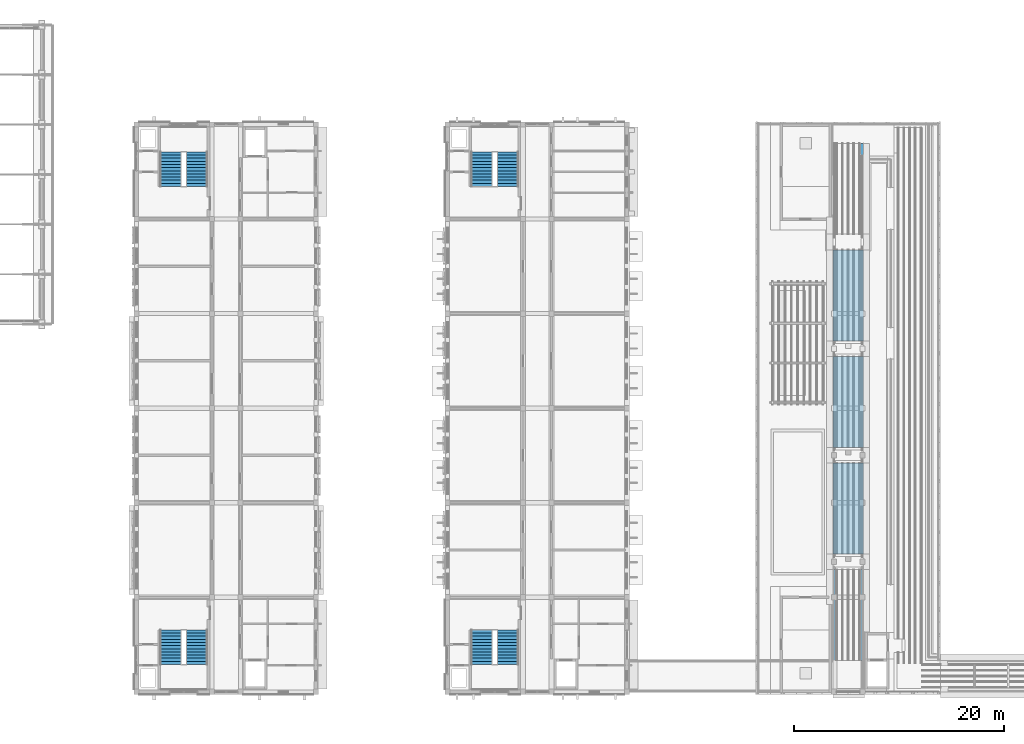
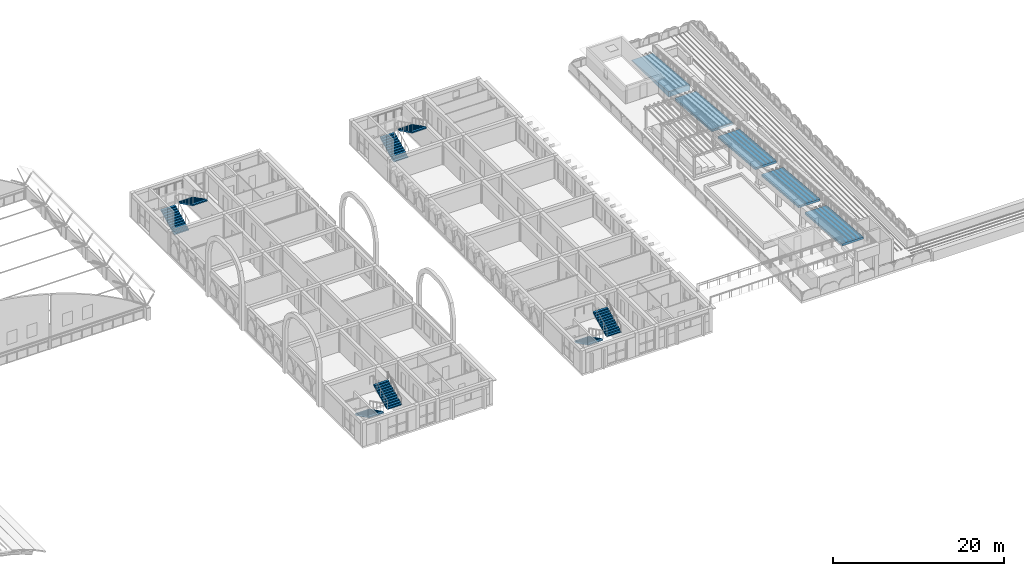
# One storey, part 45 of 65: 8 stair flights, 5 ramp flights, 5 elements without a shape of their own.
"""IFC4 building model written with IfcOpenShell, lengths in metres."""

from ifc_helpers import new_model, si_unit, direction, frame, origin, place, context, subcontext, project, spatial, polyline, outline, extrude, material, layer, layer_set, type_object, element, aggregate, save


model = new_model("IFC4")

# Units and contexts
model_context = context("Model", 3, precision=1e-05, world=origin(), true_north=direction((0.0, 1.0)))
body_context = subcontext(model_context, "Body", "Model", "MODEL_VIEW")
ifc_project = project(units=[si_unit("LENGTHUNIT", "METRE"), si_unit("AREAUNIT", "SQUARE_METRE"), si_unit("VOLUMEUNIT", "CUBIC_METRE"), si_unit("PLANEANGLEUNIT", "RADIAN"), si_unit("MASSUNIT", "GRAM", prefix="KILO")], contexts=[model_context])

# Site, building, storey
site_placement = place(None, origin())
site = spatial("IfcSite", under=ifc_project, at=site_placement, CompositionType="ELEMENT")
building_placement = place(site_placement, origin())
building = spatial("IfcBuilding", under=site, at=building_placement, Name="Elbe Cascade School", CompositionType="ELEMENT")
storey_placement = place(building_placement, frame((0.0, 0.0, 11.699951171875)))
storey = spatial("IfcBuildingStorey", under=building, at=storey_placement, Name="L03", CompositionType="ELEMENT", Elevation=11.699951171875)

# Stair, stair flights
ifc_material_1 = material(Name="Concrete C30/37", Category="concrete")
stair_type = type_object("IfcStairType", Name="Bar stair RC 150", PredefinedType="HALF_TURN_STAIR", material=ifc_material_1)
stair_1_placement = place(storey_placement, origin())
stair_1 = element("IfcStair", 1, at=stair_1_placement, inside=storey, type_object=stair_type, Name="Stair A3.S", PredefinedType="HALF_TURN_STAIR")
ifc_material_2 = material(Name="Concrete C30/37", Category="concrete")
stair_flight_type = type_object("IfcStairFlightType", Name="Bar stair flight RC", PredefinedType="STRAIGHT", material=ifc_material_2)
stair_flight_1_placement = place(storey_placement, frame((72.27490234375, 11.89990234375, 0.0), z_axis=(0.0, 0.0, 1.0), x_axis=(0.0, -1.0, 0.0)))
stair_flight_1 = element("IfcStairFlight", 2, at=stair_flight_1_placement, type_object=stair_flight_type, Name="ST3 flight 1", NumberOfRisers=12, NumberOfTreads=11, PredefinedType="STRAIGHT", RiserHeight=0.15, TreadLength=0.3, context=body_context, shape_type="SweptSolid", body=[
    extrude(outline(polyline([(0.0, 0.0), (0.0, 0.14990234375), (0.300048828125, 0.14990234375), (0.300048828125, 0.300048828125), (0.60009765625, 0.300048828125), (0.60009765625, 0.449951171875), (0.89990234375, 0.449951171875), (0.89990234375, 0.60009765625), (1.199951171875, 0.60009765625), (1.199951171875, 0.75), (1.5, 0.75), (1.5, 0.89990234375), (1.800048828125, 0.89990234375), (1.800048828125, 1.050048828125), (2.10009765625, 1.050048828125), (2.10009765625, 1.199951171875), (2.39990234375, 1.199951171875), (2.39990234375, 1.35009765625), (2.699951171875, 1.35009765625), (2.699951171875, 1.5), (3.0, 1.5), (3.0, 1.64990234375), (3.300048828125, 1.64990234375), (3.300048828125, 1.800048828125), (3.300048828125, 1.482421875), (0.335205078125, 0.0), (0.0, 0.0)])), frame((0.0, 0.97509765625, 0.0), z_axis=(0.0, -1.0, 0.0), x_axis=(1.0, 0.0, 0.0)), (0.0, 0.0, 1.0), 1.949951171875),
])
stair_flight_2_placement = place(storey_placement, frame((74.72509765625, 8.60009765625, 1.800048828125), z_axis=(0.0, 0.0, 1.0), x_axis=(0.0, 1.0, 0.0)))
stair_flight_2 = element("IfcStairFlight", 3, at=stair_flight_2_placement, type_object=stair_flight_type, Name="ST3 flight 2", NumberOfRisers=12, NumberOfTreads=11, PredefinedType="STRAIGHT", RiserHeight=0.15, TreadLength=0.3, context=body_context, shape_type="SweptSolid", body=[
    extrude(outline(polyline([(0.0, 0.0), (0.0, 0.14990234375), (0.300048828125, 0.14990234375), (0.300048828125, 0.300048828125), (0.60009765625, 0.300048828125), (0.60009765625, 0.449951171875), (0.89990234375, 0.449951171875), (0.89990234375, 0.60009765625), (1.199951171875, 0.60009765625), (1.199951171875, 0.75), (1.5, 0.75), (1.5, 0.89990234375), (1.800048828125, 0.89990234375), (1.800048828125, 1.050048828125), (2.10009765625, 1.050048828125), (2.10009765625, 1.199951171875), (2.39990234375, 1.199951171875), (2.39990234375, 1.35009765625), (2.699951171875, 1.35009765625), (2.699951171875, 1.5), (3.0, 1.5), (3.0, 1.64990234375), (3.300048828125, 1.64990234375), (3.300048828125, 1.800048828125), (3.300048828125, 1.482421875), (0.335205078125, 0.0), (0.0, 0.0)])), frame((0.0, 0.97509765625, 0.0), z_axis=(0.0, -1.0, 0.0), x_axis=(1.0, 0.0, 0.0)), (0.0, 0.0, 1.0), 1.949951171875),
])
aggregate(stair_1, [stair_flight_1, stair_flight_2])

stair_2_placement = place(storey_placement, origin())
stair_2 = element("IfcStair", 4, at=stair_2_placement, inside=storey, type_object=stair_type, Name="Stair A3.N", PredefinedType="HALF_TURN_STAIR")
stair_flight_3_placement = place(storey_placement, frame((72.27490234375, 54.10009765625, 0.0), z_axis=(0.0, 0.0, 1.0), x_axis=(0.0, 1.0, 0.0)))
stair_flight_3 = element("IfcStairFlight", 5, at=stair_flight_3_placement, type_object=stair_flight_type, Name="ST3 flight 1", NumberOfRisers=12, NumberOfTreads=11, PredefinedType="STRAIGHT", RiserHeight=0.15, TreadLength=0.3, context=body_context, shape_type="SweptSolid", body=[
    extrude(outline(polyline([(0.0, 0.0), (0.0, 0.14990234375), (0.300048828125, 0.14990234375), (0.300048828125, 0.300048828125), (0.60009765625, 0.300048828125), (0.60009765625, 0.449951171875), (0.89990234375, 0.449951171875), (0.89990234375, 0.60009765625), (1.199951171875, 0.60009765625), (1.199951171875, 0.75), (1.5, 0.75), (1.5, 0.89990234375), (1.800048828125, 0.89990234375), (1.800048828125, 1.050048828125), (2.10009765625, 1.050048828125), (2.10009765625, 1.199951171875), (2.39990234375, 1.199951171875), (2.39990234375, 1.35009765625), (2.699951171875, 1.35009765625), (2.699951171875, 1.5), (3.0, 1.5), (3.0, 1.64990234375), (3.300048828125, 1.64990234375), (3.300048828125, 1.800048828125), (3.300048828125, 1.482421875), (0.335205078125, 0.0), (0.0, 0.0)])), frame((0.0, 0.97509765625, 0.0), z_axis=(0.0, -1.0, 0.0), x_axis=(1.0, 0.0, 0.0)), (0.0, 0.0, 1.0), 1.949951171875),
])
stair_flight_4_placement = place(storey_placement, frame((74.72509765625, 57.39990234375, 1.800048828125), z_axis=(0.0, 0.0, 1.0), x_axis=(0.0, -1.0, 0.0)))
stair_flight_4 = element("IfcStairFlight", 6, at=stair_flight_4_placement, type_object=stair_flight_type, Name="ST3 flight 2", NumberOfRisers=12, NumberOfTreads=11, PredefinedType="STRAIGHT", RiserHeight=0.15, TreadLength=0.3, context=body_context, shape_type="SweptSolid", body=[
    extrude(outline(polyline([(0.0, 0.0), (0.0, 0.14990234375), (0.300048828125, 0.14990234375), (0.300048828125, 0.300048828125), (0.60009765625, 0.300048828125), (0.60009765625, 0.449951171875), (0.89990234375, 0.449951171875), (0.89990234375, 0.60009765625), (1.199951171875, 0.60009765625), (1.199951171875, 0.75), (1.5, 0.75), (1.5, 0.89990234375), (1.800048828125, 0.89990234375), (1.800048828125, 1.050048828125), (2.10009765625, 1.050048828125), (2.10009765625, 1.199951171875), (2.39990234375, 1.199951171875), (2.39990234375, 1.35009765625), (2.699951171875, 1.35009765625), (2.699951171875, 1.5), (3.0, 1.5), (3.0, 1.64990234375), (3.300048828125, 1.64990234375), (3.300048828125, 1.800048828125), (3.300048828125, 1.482421875), (0.335205078125, 0.0), (0.0, 0.0)])), frame((0.0, 0.97509765625, 0.0), z_axis=(0.0, -1.0, 0.0), x_axis=(1.0, 0.0, 0.0)), (0.0, 0.0, 1.0), 1.949951171875),
])
aggregate(stair_2, [stair_flight_3, stair_flight_4])

stair_3_placement = place(storey_placement, origin())
stair_3 = element("IfcStair", 7, at=stair_3_placement, inside=storey, type_object=stair_type, Name="Stair B3.S", PredefinedType="HALF_TURN_STAIR")
stair_flight_5_placement = place(storey_placement, frame((101.875, 11.89990234375, 0.0), z_axis=(0.0, 0.0, 1.0), x_axis=(0.0, -1.0, 0.0)))
stair_flight_5 = element("IfcStairFlight", 8, at=stair_flight_5_placement, type_object=stair_flight_type, Name="ST3 flight 1", NumberOfRisers=12, NumberOfTreads=11, PredefinedType="STRAIGHT", RiserHeight=0.15, TreadLength=0.3, context=body_context, shape_type="SweptSolid", body=[
    extrude(outline(polyline([(0.0, 0.0), (0.0, 0.14990234375), (0.300048828125, 0.14990234375), (0.300048828125, 0.300048828125), (0.60009765625, 0.300048828125), (0.60009765625, 0.449951171875), (0.89990234375, 0.449951171875), (0.89990234375, 0.60009765625), (1.199951171875, 0.60009765625), (1.199951171875, 0.75), (1.5, 0.75), (1.5, 0.89990234375), (1.800048828125, 0.89990234375), (1.800048828125, 1.050048828125), (2.10009765625, 1.050048828125), (2.10009765625, 1.199951171875), (2.39990234375, 1.199951171875), (2.39990234375, 1.35009765625), (2.699951171875, 1.35009765625), (2.699951171875, 1.5), (3.0, 1.5), (3.0, 1.64990234375), (3.300048828125, 1.64990234375), (3.300048828125, 1.800048828125), (3.300048828125, 1.482421875), (0.335205078125, 0.0), (0.0, 0.0)])), frame((0.0, 0.97509765625, 0.0), z_axis=(0.0, -1.0, 0.0), x_axis=(1.0, 0.0, 0.0)), (0.0, 0.0, 1.0), 1.949951171875),
])
stair_flight_6_placement = place(storey_placement, frame((104.324951171875, 8.60009765625, 1.800048828125), z_axis=(0.0, 0.0, 1.0), x_axis=(0.0, 1.0, 0.0)))
stair_flight_6 = element("IfcStairFlight", 9, at=stair_flight_6_placement, type_object=stair_flight_type, Name="ST3 flight 2", NumberOfRisers=12, NumberOfTreads=11, PredefinedType="STRAIGHT", RiserHeight=0.15, TreadLength=0.3, context=body_context, shape_type="SweptSolid", body=[
    extrude(outline(polyline([(0.0, 0.0), (0.0, 0.14990234375), (0.300048828125, 0.14990234375), (0.300048828125, 0.300048828125), (0.60009765625, 0.300048828125), (0.60009765625, 0.449951171875), (0.89990234375, 0.449951171875), (0.89990234375, 0.60009765625), (1.199951171875, 0.60009765625), (1.199951171875, 0.75), (1.5, 0.75), (1.5, 0.89990234375), (1.800048828125, 0.89990234375), (1.800048828125, 1.050048828125), (2.10009765625, 1.050048828125), (2.10009765625, 1.199951171875), (2.39990234375, 1.199951171875), (2.39990234375, 1.35009765625), (2.699951171875, 1.35009765625), (2.699951171875, 1.5), (3.0, 1.5), (3.0, 1.64990234375), (3.300048828125, 1.64990234375), (3.300048828125, 1.800048828125), (3.300048828125, 1.482421875), (0.335205078125, 0.0), (0.0, 0.0)])), frame((0.0, 0.97509765625, 0.0), z_axis=(0.0, -1.0, 0.0), x_axis=(1.0, 0.0, 0.0)), (0.0, 0.0, 1.0), 1.949951171875),
])
aggregate(stair_3, [stair_flight_5, stair_flight_6])

stair_4_placement = place(storey_placement, origin())
stair_4 = element("IfcStair", 10, at=stair_4_placement, inside=storey, type_object=stair_type, Name="Stair B3.N", PredefinedType="HALF_TURN_STAIR")
stair_flight_7_placement = place(storey_placement, frame((101.875, 54.10009765625, 0.0), z_axis=(0.0, 0.0, 1.0), x_axis=(0.0, 1.0, 0.0)))
stair_flight_7 = element("IfcStairFlight", 11, at=stair_flight_7_placement, type_object=stair_flight_type, Name="ST3 flight 1", NumberOfRisers=12, NumberOfTreads=11, PredefinedType="STRAIGHT", RiserHeight=0.15, TreadLength=0.3, context=body_context, shape_type="SweptSolid", body=[
    extrude(outline(polyline([(0.0, 0.0), (0.0, 0.14990234375), (0.300048828125, 0.14990234375), (0.300048828125, 0.300048828125), (0.60009765625, 0.300048828125), (0.60009765625, 0.449951171875), (0.89990234375, 0.449951171875), (0.89990234375, 0.60009765625), (1.199951171875, 0.60009765625), (1.199951171875, 0.75), (1.5, 0.75), (1.5, 0.89990234375), (1.800048828125, 0.89990234375), (1.800048828125, 1.050048828125), (2.10009765625, 1.050048828125), (2.10009765625, 1.199951171875), (2.39990234375, 1.199951171875), (2.39990234375, 1.35009765625), (2.699951171875, 1.35009765625), (2.699951171875, 1.5), (3.0, 1.5), (3.0, 1.64990234375), (3.300048828125, 1.64990234375), (3.300048828125, 1.800048828125), (3.300048828125, 1.482421875), (0.335205078125, 0.0), (0.0, 0.0)])), frame((0.0, 0.97509765625, 0.0), z_axis=(0.0, -1.0, 0.0), x_axis=(1.0, 0.0, 0.0)), (0.0, 0.0, 1.0), 1.949951171875),
])
stair_flight_8_placement = place(storey_placement, frame((104.324951171875, 57.39990234375, 1.800048828125), z_axis=(0.0, 0.0, 1.0), x_axis=(0.0, -1.0, 0.0)))
stair_flight_8 = element("IfcStairFlight", 12, at=stair_flight_8_placement, type_object=stair_flight_type, Name="ST3 flight 2", NumberOfRisers=12, NumberOfTreads=11, PredefinedType="STRAIGHT", RiserHeight=0.15, TreadLength=0.3, context=body_context, shape_type="SweptSolid", body=[
    extrude(outline(polyline([(0.0, 0.0), (0.0, 0.14990234375), (0.300048828125, 0.14990234375), (0.300048828125, 0.300048828125), (0.60009765625, 0.300048828125), (0.60009765625, 0.449951171875), (0.89990234375, 0.449951171875), (0.89990234375, 0.60009765625), (1.199951171875, 0.60009765625), (1.199951171875, 0.75), (1.5, 0.75), (1.5, 0.89990234375), (1.800048828125, 0.89990234375), (1.800048828125, 1.050048828125), (2.10009765625, 1.050048828125), (2.10009765625, 1.199951171875), (2.39990234375, 1.199951171875), (2.39990234375, 1.35009765625), (2.699951171875, 1.35009765625), (2.699951171875, 1.5), (3.0, 1.5), (3.0, 1.64990234375), (3.300048828125, 1.64990234375), (3.300048828125, 1.800048828125), (3.300048828125, 1.482421875), (0.335205078125, 0.0), (0.0, 0.0)])), frame((0.0, 0.97509765625, 0.0), z_axis=(0.0, -1.0, 0.0), x_axis=(1.0, 0.0, 0.0)), (0.0, 0.0, 1.0), 1.949951171875),
])
aggregate(stair_4, [stair_flight_7, stair_flight_8])

# Ramp, ramp flights
ifc_material_3 = material(Name="Concrete C30/37", Category="concrete")
ramp_type = type_object("IfcRampType", Name="Roof ramp", PredefinedType="STRAIGHT_RUN_RAMP", material=ifc_material_3)
ramp_placement = place(storey_placement, origin())
ramp = element("IfcRamp", 13, at=ramp_placement, inside=storey, type_object=ramp_type, Name="Roof ramp C", PredefinedType="STRAIGHT_RUN_RAMP")
ifc_material_4 = material(Name="Concrete C30/37", Category="concrete")
ifc_layer = layer(ifc_material_4, 0.300048828125)
ifc_layer_set = layer_set([ifc_layer], Name="Concrete C30/37")
ramp_flight_type_1 = type_object("IfcRampFlightType", Name="Roof ramp flight 300", PredefinedType="STRAIGHT", material=ifc_layer_set)
ramp_flight_1_placement = place(storey_placement, frame((136.75, 9.0, 3.66015625), z_axis=(0.0, 0.0, 1.0), x_axis=(0.0, 1.0, 0.0)))
ramp_flight_1 = element("IfcRampFlight", 14, at=ramp_flight_1_placement, type_object=ramp_flight_type_1, Name="Roof ramp C flight 1", PredefinedType="STRAIGHT", context=body_context, shape_type="SweptSolid", body=[
    extrude(outline(polyline([(0.0, -0.300048828125), (8.639892578125, -1.020263671875), (8.639892578125, -0.72021484375), (0.0, 0.0), (0.0, -0.300048828125)])), frame((0.0, 1.449951171875, 0.0), z_axis=(0.0, -1.0, 0.0), x_axis=(1.0, 0.0, 0.0)), (0.0, 0.0, 1.0), 2.89990234375),
])
ramp_flight_2_placement = place(storey_placement, frame((136.75, 19.139892578125, 2.93994140625), z_axis=(0.0, 0.0, 1.0), x_axis=(0.0, 1.0, 0.0)))
ramp_flight_2 = element("IfcRampFlight", 15, at=ramp_flight_2_placement, type_object=ramp_flight_type_1, Name="Roof ramp C flight 2", PredefinedType="STRAIGHT", context=body_context, shape_type="SweptSolid", body=[
    extrude(outline(polyline([(0.0, -0.300048828125), (8.64013671875, -1.02001953125), (8.64013671875, -0.719970703125), (0.0, 0.0), (0.0, -0.300048828125)])), frame((0.0, 1.449951171875, 0.0), z_axis=(0.0, -1.0, 0.0), x_axis=(1.0, 0.0, 0.0)), (0.0, 0.0, 1.0), 2.89990234375),
])
ramp_flight_3_placement = place(storey_placement, frame((136.75, 29.280029296875, 2.219970703125), z_axis=(0.0, 0.0, 1.0), x_axis=(0.0, 1.0, 0.0)))
ramp_flight_3 = element("IfcRampFlight", 16, at=ramp_flight_3_placement, type_object=ramp_flight_type_1, Name="Roof ramp C flight 3", PredefinedType="STRAIGHT", context=body_context, shape_type="SweptSolid", body=[
    extrude(outline(polyline([(0.0, -0.300048828125), (8.639892578125, -1.02001953125), (8.639892578125, -0.719970703125), (0.0, 0.0), (0.0, -0.300048828125)])), frame((0.0, 1.449951171875, 0.0), z_axis=(0.0, -1.0, 0.0), x_axis=(1.0, 0.0, 0.0)), (0.0, 0.0, 1.0), 2.89990234375),
])
ramp_flight_4_placement = place(storey_placement, frame((136.75, 39.419921875, 1.5), z_axis=(0.0, 0.0, 1.0), x_axis=(0.0, 1.0, 0.0)))
ramp_flight_4 = element("IfcRampFlight", 17, at=ramp_flight_4_placement, type_object=ramp_flight_type_1, Name="Roof ramp C flight 4", PredefinedType="STRAIGHT", context=body_context, shape_type="SweptSolid", body=[
    extrude(outline(polyline([(0.0, -0.300048828125), (8.64013671875, -1.02001953125), (8.64013671875, -0.719970703125), (0.0, 0.0), (0.0, -0.300048828125)])), frame((0.0, 1.449951171875, 0.0), z_axis=(0.0, -1.0, 0.0), x_axis=(1.0, 0.0, 0.0)), (0.0, 0.0, 1.0), 2.89990234375),
])
ifc_material_5 = material(Name="Concrete C30/37", Category="concrete")
ramp_flight_type_2 = type_object("IfcRampFlightType", Name="Roof ramp flight on deck", PredefinedType="STRAIGHT", material=ifc_material_5)
ramp_flight_5_placement = place(storey_placement, frame((135.300048828125, 49.56005859375, 0.0), z_axis=(1.0, 0.0, 0.0), x_axis=(0.0, 1.0, 0.0)))
ramp_flight_5 = element("IfcRampFlight", 18, at=ramp_flight_5_placement, type_object=ramp_flight_type_2, Name="Roof ramp C flight 5", PredefinedType="STRAIGHT", context=body_context, shape_type="SweptSolid", body=[
    extrude(outline(polyline([(0.0, 0.0), (8.639892578125, 0.0), (8.639892578125, 0.06005859375), (0.0, 0.780029296875), (0.0, 0.0)])), origin(), (0.0, 0.0, 1.0), 2.89990234375),
])
aggregate(ramp, [ramp_flight_1, ramp_flight_2, ramp_flight_3, ramp_flight_4, ramp_flight_5])

save(model, "model.ifc")
